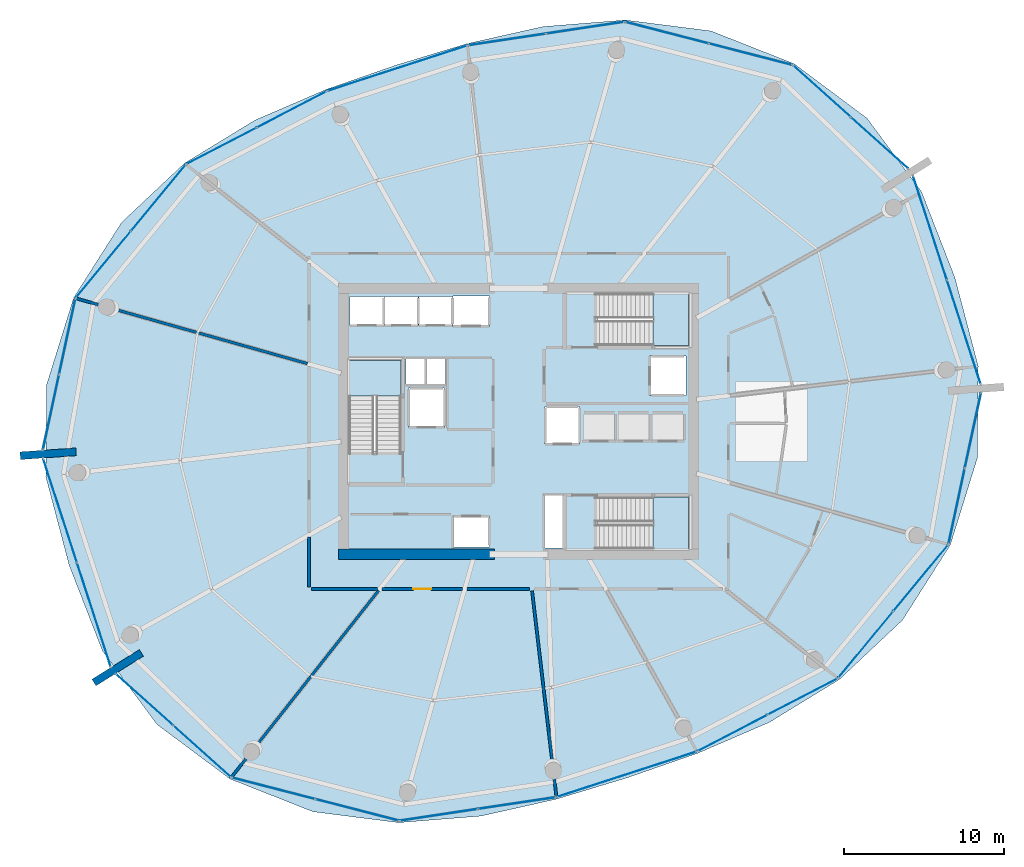
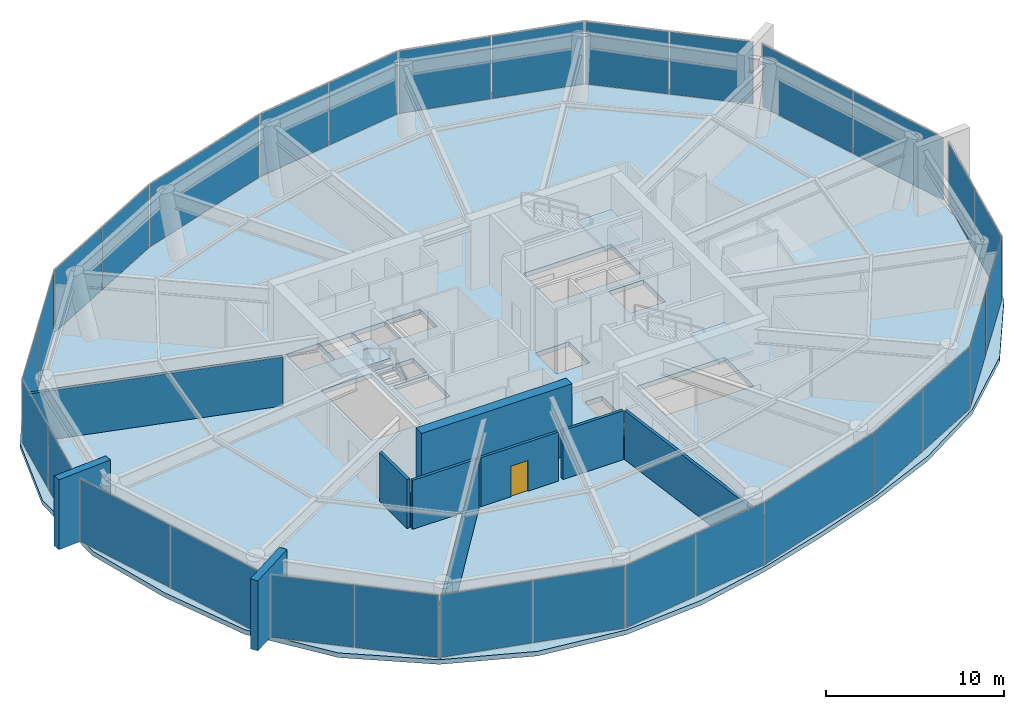
# One storey, part 16 of 22: 30 plates, 10 walls, 4 slabs, 1 door, 1 opening, 19 elements without a shape of their own.
"""IFC4 building model written with IfcOpenShell, lengths in metres."""

from ifc_helpers import new_model, si_unit, direction, frame, frame_2d, origin, origin_2d, place, context, subcontext, project, spatial, polyline, rectangle, outline, extrude, material, layer, layer_set, type_object, element, fill, aggregate, save


model = new_model("IFC4")

# Units and contexts
model_context = context("Model", 3, precision=1e-05, world=origin(), true_north=direction((0.0, 1.0)))
body_context = subcontext(model_context, "Body", "Model", "MODEL_VIEW")
ifc_project = project(units=[si_unit("LENGTHUNIT", "METRE"), si_unit("AREAUNIT", "SQUARE_METRE"), si_unit("VOLUMEUNIT", "CUBIC_METRE"), si_unit("PLANEANGLEUNIT", "RADIAN"), si_unit("MASSUNIT", "GRAM", prefix="KILO")], contexts=[model_context])

# Site, building, storey
site_placement = place(None, origin())
site = spatial("IfcSite", under=ifc_project, at=site_placement, CompositionType="ELEMENT")
building_placement = place(site_placement, origin())
building = spatial("IfcBuilding", under=site, at=building_placement, Name="Kazma Halo Residences", CompositionType="ELEMENT")
storey_placement = place(building_placement, frame((0.0, 0.0, 231.89990234375)))
storey = spatial("IfcBuildingStorey", under=building, at=storey_placement, Name="L58", CompositionType="ELEMENT", Elevation=231.89990234375)

# Curtain wall, plates
ifc_material_1 = material(Name="Aluminium AW-6063 T6 and Triple-Silver Low-E Glass", Category="aluminium")
ifc_layer_1 = layer(ifc_material_1, 0.139892578125)
ifc_layer_set_1 = layer_set([ifc_layer_1], Name="Aluminium AW-6063 T6 and Triple-Silver Low-E Glass")
curtain_wall_type = type_object("IfcCurtainWallType", Name="CW-SYS-5", PredefinedType="NOTDEFINED", material=ifc_layer_set_1)
curtain_wall_1_placement = place(storey_placement, origin())
curtain_wall_1 = element("IfcCurtainWall", 1, at=curtain_wall_1_placement, inside=storey, type_object=curtain_wall_type, Name="L58 unitised curtain wall B01", PredefinedType="NOTDEFINED")
ifc_material_2 = material(Name="Clear Triple-Silver Low-E Glass IGU", Category="glass")
ifc_layer_2 = layer(ifc_material_2, 0.02587890625)
ifc_layer_set_2 = layer_set([ifc_layer_2], Name="Clear Triple-Silver Low-E Glass IGU")
plate_type = type_object("IfcPlateType", Name="CW-SYS-5-PNL", PredefinedType="CURTAIN_PANEL", material=ifc_layer_set_2)
plate_1_placement = place(storey_placement, frame((71.003173828125, 59.42333984375, 0.06005859375), z_axis=(0.0, 0.0, 1.0), x_axis=(-0.744340381454, 0.667800416694, 0.0)))
plate_1 = element("IfcPlate", 2, at=plate_1_placement, type_object=plate_type, Name="CWS-5 panel 1.1", PredefinedType="CURTAIN_PANEL", context=body_context, shape_type="SweptSolid", body=[
    extrude(rectangle(XDim=4.781982421875, YDim=0.02587890625, at=origin_2d()), origin(), (0.0, 0.0, 1.0), 4.280029296875),
])
plate_2_placement = place(storey_placement, frame((67.399169921875, 62.65673828125, 0.06005859375), z_axis=(0.0, 0.0, 1.0), x_axis=(-0.744340381454, 0.667800416694, 0.0)))
plate_2 = element("IfcPlate", 3, at=plate_2_placement, type_object=plate_type, Name="CWS-5 panel 2.1", PredefinedType="CURTAIN_PANEL", context=body_context, shape_type="SweptSolid", body=[
    extrude(rectangle(XDim=4.781982421875, YDim=0.02587890625, at=origin_2d()), origin(), (0.0, 0.0, 1.0), 4.280029296875),
])
aggregate(curtain_wall_1, [plate_1, plate_2])

curtain_wall_2_placement = place(storey_placement, origin())
curtain_wall_2 = element("IfcCurtainWall", 4, at=curtain_wall_2_placement, inside=storey, type_object=curtain_wall_type, Name="L58 unitised curtain wall B02", PredefinedType="NOTDEFINED")
plate_3_placement = place(storey_placement, frame((62.9296875, 64.97509765625, 0.06005859375), z_axis=(0.0, 0.0, 1.0), x_axis=(-0.96835764639, 0.249566561617, 0.0)))
plate_3 = element("IfcPlate", 5, at=plate_3_placement, type_object=plate_type, Name="CWS-5 panel 1.1", PredefinedType="CURTAIN_PANEL", context=body_context, shape_type="SweptSolid", body=[
    extrude(rectangle(XDim=5.34326171875, YDim=0.02587890625, at=origin_2d()), origin(), (0.0, 0.0, 1.0), 4.280029296875),
])
plate_4_placement = place(storey_placement, frame((57.697265625, 66.32373046875, 0.06005859375), z_axis=(0.0, 0.0, 1.0), x_axis=(-0.96835764639, 0.249566561617, 0.0)))
plate_4 = element("IfcPlate", 6, at=plate_4_placement, type_object=plate_type, Name="CWS-5 panel 2.1", PredefinedType="CURTAIN_PANEL", context=body_context, shape_type="SweptSolid", body=[
    extrude(rectangle(XDim=5.34326171875, YDim=0.02587890625, at=origin_2d()), origin(), (0.0, 0.0, 1.0), 4.280029296875),
])
aggregate(curtain_wall_2, [plate_3, plate_4])

curtain_wall_3_placement = place(storey_placement, origin())
curtain_wall_3 = element("IfcCurtainWall", 7, at=curtain_wall_3_placement, inside=storey, type_object=curtain_wall_type, Name="L58 unitised curtain wall B03", PredefinedType="NOTDEFINED")
plate_5_placement = place(storey_placement, frame((52.578125, 66.63330078125, 0.06005859375), z_axis=(0.0, 0.0, 1.0), x_axis=(-0.988877358261, -0.148733218613, 0.0)))
plate_5 = element("IfcPlate", 8, at=plate_5_placement, type_object=plate_type, Name="CWS-5 panel 1.1", PredefinedType="CURTAIN_PANEL", context=body_context, shape_type="SweptSolid", body=[
    extrude(rectangle(XDim=4.8837890625, YDim=0.02587890625, at=origin_2d()), origin(), (0.0, 0.0, 1.0), 4.280029296875),
])
plate_6_placement = place(storey_placement, frame((47.689453125, 65.89794921875, 0.06005859375), z_axis=(0.0, 0.0, 1.0), x_axis=(-0.988877358261, -0.148733218613, 0.0)))
plate_6 = element("IfcPlate", 9, at=plate_6_placement, type_object=plate_type, Name="CWS-5 panel 2.1", PredefinedType="CURTAIN_PANEL", context=body_context, shape_type="SweptSolid", body=[
    extrude(rectangle(XDim=4.8837890625, YDim=0.02587890625, at=origin_2d()), origin(), (0.0, 0.0, 1.0), 4.280029296875),
])
aggregate(curtain_wall_3, [plate_5, plate_6])

# Curtain wall, plate
curtain_wall_4_placement = place(storey_placement, origin())
curtain_wall_4 = element("IfcCurtainWall", 10, at=curtain_wall_4_placement, inside=storey, type_object=curtain_wall_type, Name="L58 unitised curtain wall B04", PredefinedType="NOTDEFINED")
plate_7_placement = place(storey_placement, frame((40.820068359375, 64.09765625, 0.06005859375), z_axis=(0.0, 0.0, 1.0), x_axis=(-0.951055532228, -0.309020023006, 0.0)))
plate_7 = element("IfcPlate", 11, at=plate_7_placement, type_object=plate_type, Name="CWS-5 panel 1.1", PredefinedType="CURTAIN_PANEL", context=body_context, shape_type="SweptSolid", body=[
    extrude(rectangle(XDim=9.12353515625, YDim=0.02587890625, at=origin_2d()), origin(), (0.0, 0.0, 1.0), 4.280029296875),
])
aggregate(curtain_wall_4, [plate_7])

# Curtain wall, plates
curtain_wall_5_placement = place(storey_placement, origin())
curtain_wall_5 = element("IfcCurtainWall", 12, at=curtain_wall_5_placement, inside=storey, type_object=curtain_wall_type, Name="L58 unitised curtain wall B05", PredefinedType="NOTDEFINED")
plate_8_placement = place(storey_placement, frame((34.204345703125, 61.516357421875, 0.06005859375), z_axis=(0.0, 0.0, 1.0), x_axis=(-0.88744317663, -0.460917138163, 0.0)))
plate_8 = element("IfcPlate", 13, at=plate_8_placement, type_object=plate_type, Name="CWS-5 panel 1.1", PredefinedType="CURTAIN_PANEL", context=body_context, shape_type="SweptSolid", body=[
    extrude(rectangle(XDim=4.8837890625, YDim=0.02587890625, at=origin_2d()), origin(), (0.0, 0.0, 1.0), 4.280029296875),
])
plate_9_placement = place(storey_placement, frame((29.817138671875, 59.23779296875, 0.06005859375), z_axis=(0.0, 0.0, 1.0), x_axis=(-0.88744317663, -0.460917138163, 0.0)))
plate_9 = element("IfcPlate", 14, at=plate_9_placement, type_object=plate_type, Name="CWS-5 panel 2.1", PredefinedType="CURTAIN_PANEL", context=body_context, shape_type="SweptSolid", body=[
    extrude(rectangle(XDim=4.8837890625, YDim=0.02587890625, at=origin_2d()), origin(), (0.0, 0.0, 1.0), 4.280029296875),
])
aggregate(curtain_wall_5, [plate_8, plate_9])

curtain_wall_6_placement = place(storey_placement, origin())
curtain_wall_6 = element("IfcCurtainWall", 15, at=curtain_wall_6_placement, inside=storey, type_object=curtain_wall_type, Name="L58 unitised curtain wall B06", PredefinedType="NOTDEFINED")
plate_10_placement = place(storey_placement, frame((25.857421875, 55.978271484375, 0.06005859375), z_axis=(0.0, 0.0, 1.0), x_axis=(-0.636723757762, -0.77109198952, 0.0)))
plate_10 = element("IfcPlate", 16, at=plate_10_placement, type_object=plate_type, Name="CWS-5 panel 1.1", PredefinedType="CURTAIN_PANEL", context=body_context, shape_type="SweptSolid", body=[
    extrude(rectangle(XDim=5.34326171875, YDim=0.02587890625, at=origin_2d()), origin(), (0.0, 0.0, 1.0), 4.280029296875),
])
plate_11_placement = place(storey_placement, frame((22.417236328125, 51.81201171875, 0.06005859375), z_axis=(0.0, 0.0, 1.0), x_axis=(-0.636723757762, -0.77109198952, 0.0)))
plate_11 = element("IfcPlate", 17, at=plate_11_placement, type_object=plate_type, Name="CWS-5 panel 2.1", PredefinedType="CURTAIN_PANEL", context=body_context, shape_type="SweptSolid", body=[
    extrude(rectangle(XDim=5.34326171875, YDim=0.02587890625, at=origin_2d()), origin(), (0.0, 0.0, 1.0), 4.280029296875),
])
aggregate(curtain_wall_6, [plate_10, plate_11])

curtain_wall_7_placement = place(storey_placement, origin())
curtain_wall_7 = element("IfcCurtainWall", 18, at=curtain_wall_7_placement, inside=storey, type_object=curtain_wall_type, Name="L58 unitised curtain wall B07", PredefinedType="NOTDEFINED")
plate_12_placement = place(storey_placement, frame((20.1640625, 47.30908203125, 0.06005859375), z_axis=(0.0, 0.0, 1.0), x_axis=(-0.209667858949, -0.977772667302, 0.0)))
plate_12 = element("IfcPlate", 19, at=plate_12_placement, type_object=plate_type, Name="CWS-5 panel 1.1", PredefinedType="CURTAIN_PANEL", context=body_context, shape_type="SweptSolid", body=[
    extrude(rectangle(XDim=4.781982421875, YDim=0.02587890625, at=origin_2d()), origin(), (0.0, 0.0, 1.0), 4.280029296875),
])
plate_13_placement = place(storey_placement, frame((19.148681640625, 42.57470703125, 0.06005859375), z_axis=(0.0, 0.0, 1.0), x_axis=(-0.209667858949, -0.977772667302, 0.0)))
plate_13 = element("IfcPlate", 20, at=plate_13_placement, type_object=plate_type, Name="CWS-5 panel 2.1", PredefinedType="CURTAIN_PANEL", context=body_context, shape_type="SweptSolid", body=[
    extrude(rectangle(XDim=4.781982421875, YDim=0.02587890625, at=origin_2d()), origin(), (0.0, 0.0, 1.0), 4.280029296875),
])
aggregate(curtain_wall_7, [plate_12, plate_13])

curtain_wall_8_placement = place(storey_placement, origin())
curtain_wall_8 = element("IfcCurtainWall", 21, at=curtain_wall_8_placement, inside=storey, type_object=curtain_wall_type, Name="L58 unitised curtain wall B08", PredefinedType="NOTDEFINED")
plate_14_placement = place(storey_placement, frame((19.713134765625, 36.42041015625, 0.06005859375), z_axis=(0.0, 0.0, 1.0), x_axis=(0.309019866261, -0.951055583158, 0.0)))
plate_14 = element("IfcPlate", 22, at=plate_14_placement, type_object=plate_type, Name="CWS-5 panel 1.1", PredefinedType="CURTAIN_PANEL", context=body_context, shape_type="SweptSolid", body=[
    extrude(rectangle(XDim=6.80908203125, YDim=0.02587890625, at=origin_2d()), origin(), (0.0, 0.0, 1.0), 4.280029296875),
])
plate_15_placement = place(storey_placement, frame((21.835693359375, 29.887451171875, 0.06005859375), z_axis=(0.0, 0.0, 1.0), x_axis=(0.309019866261, -0.951055583158, 0.0)))
plate_15 = element("IfcPlate", 23, at=plate_15_placement, type_object=plate_type, Name="CWS-5 panel 2.1", PredefinedType="CURTAIN_PANEL", context=body_context, shape_type="SweptSolid", body=[
    extrude(rectangle(XDim=6.80908203125, YDim=0.02587890625, at=origin_2d()), origin(), (0.0, 0.0, 1.0), 4.280029296875),
])
aggregate(curtain_wall_8, [plate_14, plate_15])

curtain_wall_9_placement = place(storey_placement, origin())
curtain_wall_9 = element("IfcCurtainWall", 24, at=curtain_wall_9_placement, inside=storey, type_object=curtain_wall_type, Name="L58 unitised curtain wall B09", PredefinedType="NOTDEFINED")
plate_16_placement = place(storey_placement, frame((24.996826171875, 24.57666015625, 0.06005859375), z_axis=(0.0, 0.0, 1.0), x_axis=(0.744340381454, -0.667800416694, 0.0)))
plate_16 = element("IfcPlate", 25, at=plate_16_placement, type_object=plate_type, Name="CWS-5 panel 1.1", PredefinedType="CURTAIN_PANEL", context=body_context, shape_type="SweptSolid", body=[
    extrude(rectangle(XDim=4.781982421875, YDim=0.02587890625, at=origin_2d()), origin(), (0.0, 0.0, 1.0), 4.280029296875),
])
plate_17_placement = place(storey_placement, frame((28.600830078125, 21.34326171875, 0.06005859375), z_axis=(0.0, 0.0, 1.0), x_axis=(0.744340381454, -0.667800416694, 0.0)))
plate_17 = element("IfcPlate", 26, at=plate_17_placement, type_object=plate_type, Name="CWS-5 panel 2.1", PredefinedType="CURTAIN_PANEL", context=body_context, shape_type="SweptSolid", body=[
    extrude(rectangle(XDim=4.781982421875, YDim=0.02587890625, at=origin_2d()), origin(), (0.0, 0.0, 1.0), 4.280029296875),
])
aggregate(curtain_wall_9, [plate_16, plate_17])

curtain_wall_10_placement = place(storey_placement, origin())
curtain_wall_10 = element("IfcCurtainWall", 27, at=curtain_wall_10_placement, inside=storey, type_object=curtain_wall_type, Name="L58 unitised curtain wall B10", PredefinedType="NOTDEFINED")
plate_18_placement = place(storey_placement, frame((33.0703125, 19.02490234375, 0.06005859375), z_axis=(0.0, 0.0, 1.0), x_axis=(0.96835764639, -0.249566561617, 0.0)))
plate_18 = element("IfcPlate", 28, at=plate_18_placement, type_object=plate_type, Name="CWS-5 panel 1.1", PredefinedType="CURTAIN_PANEL", context=body_context, shape_type="SweptSolid", body=[
    extrude(rectangle(XDim=5.34326171875, YDim=0.02587890625, at=origin_2d()), origin(), (0.0, 0.0, 1.0), 4.280029296875),
])
plate_19_placement = place(storey_placement, frame((38.302734375, 17.67626953125, 0.06005859375), z_axis=(0.0, 0.0, 1.0), x_axis=(0.96835764639, -0.249566561617, 0.0)))
plate_19 = element("IfcPlate", 29, at=plate_19_placement, type_object=plate_type, Name="CWS-5 panel 2.1", PredefinedType="CURTAIN_PANEL", context=body_context, shape_type="SweptSolid", body=[
    extrude(rectangle(XDim=5.34326171875, YDim=0.02587890625, at=origin_2d()), origin(), (0.0, 0.0, 1.0), 4.280029296875),
])
aggregate(curtain_wall_10, [plate_18, plate_19])

curtain_wall_11_placement = place(storey_placement, origin())
curtain_wall_11 = element("IfcCurtainWall", 30, at=curtain_wall_11_placement, inside=storey, type_object=curtain_wall_type, Name="L58 unitised curtain wall B11", PredefinedType="NOTDEFINED")
plate_20_placement = place(storey_placement, frame((43.421875, 17.36669921875, 0.06005859375), z_axis=(0.0, 0.0, 1.0), x_axis=(0.988877358261, 0.148733218613, 0.0)))
plate_20 = element("IfcPlate", 31, at=plate_20_placement, type_object=plate_type, Name="CWS-5 panel 1.1", PredefinedType="CURTAIN_PANEL", context=body_context, shape_type="SweptSolid", body=[
    extrude(rectangle(XDim=4.8837890625, YDim=0.02587890625, at=origin_2d()), origin(), (0.0, 0.0, 1.0), 4.280029296875),
])
plate_21_placement = place(storey_placement, frame((48.310546875, 18.10205078125, 0.06005859375), z_axis=(0.0, 0.0, 1.0), x_axis=(0.988877358261, 0.148733218613, 0.0)))
plate_21 = element("IfcPlate", 32, at=plate_21_placement, type_object=plate_type, Name="CWS-5 panel 2.1", PredefinedType="CURTAIN_PANEL", context=body_context, shape_type="SweptSolid", body=[
    extrude(rectangle(XDim=4.8837890625, YDim=0.02587890625, at=origin_2d()), origin(), (0.0, 0.0, 1.0), 4.280029296875),
])
aggregate(curtain_wall_11, [plate_20, plate_21])

# Curtain wall, plate
curtain_wall_12_placement = place(storey_placement, origin())
curtain_wall_12 = element("IfcCurtainWall", 33, at=curtain_wall_12_placement, inside=storey, type_object=curtain_wall_type, Name="L58 unitised curtain wall B12", PredefinedType="NOTDEFINED")
plate_22_placement = place(storey_placement, frame((55.179931640625, 19.90234375, 0.06005859375), z_axis=(0.0, 0.0, 1.0), x_axis=(0.951055532228, 0.309020023006, 0.0)))
plate_22 = element("IfcPlate", 34, at=plate_22_placement, type_object=plate_type, Name="CWS-5 panel 1.1", PredefinedType="CURTAIN_PANEL", context=body_context, shape_type="SweptSolid", body=[
    extrude(rectangle(XDim=9.12353515625, YDim=0.02587890625, at=origin_2d()), origin(), (0.0, 0.0, 1.0), 4.280029296875),
])
aggregate(curtain_wall_12, [plate_22])

# Curtain wall, plates
curtain_wall_13_placement = place(storey_placement, origin())
curtain_wall_13 = element("IfcCurtainWall", 35, at=curtain_wall_13_placement, inside=storey, type_object=curtain_wall_type, Name="L58 unitised curtain wall B13", PredefinedType="NOTDEFINED")
plate_23_placement = place(storey_placement, frame((61.795654296875, 22.483642578125, 0.06005859375), z_axis=(0.0, 0.0, 1.0), x_axis=(0.88744317663, 0.460917138163, 0.0)))
plate_23 = element("IfcPlate", 36, at=plate_23_placement, type_object=plate_type, Name="CWS-5 panel 1.1", PredefinedType="CURTAIN_PANEL", context=body_context, shape_type="SweptSolid", body=[
    extrude(rectangle(XDim=4.8837890625, YDim=0.02587890625, at=origin_2d()), origin(), (0.0, 0.0, 1.0), 4.280029296875),
])
plate_24_placement = place(storey_placement, frame((66.182861328125, 24.76220703125, 0.06005859375), z_axis=(0.0, 0.0, 1.0), x_axis=(0.88744317663, 0.460917138163, 0.0)))
plate_24 = element("IfcPlate", 37, at=plate_24_placement, type_object=plate_type, Name="CWS-5 panel 2.1", PredefinedType="CURTAIN_PANEL", context=body_context, shape_type="SweptSolid", body=[
    extrude(rectangle(XDim=4.8837890625, YDim=0.02587890625, at=origin_2d()), origin(), (0.0, 0.0, 1.0), 4.280029296875),
])
aggregate(curtain_wall_13, [plate_23, plate_24])

curtain_wall_14_placement = place(storey_placement, origin())
curtain_wall_14 = element("IfcCurtainWall", 38, at=curtain_wall_14_placement, inside=storey, type_object=curtain_wall_type, Name="L58 unitised curtain wall B14", PredefinedType="NOTDEFINED")
plate_25_placement = place(storey_placement, frame((70.142578125, 28.021728515625, 0.06005859375), z_axis=(0.0, 0.0, 1.0), x_axis=(0.636723757762, 0.77109198952, 0.0)))
plate_25 = element("IfcPlate", 39, at=plate_25_placement, type_object=plate_type, Name="CWS-5 panel 1.1", PredefinedType="CURTAIN_PANEL", context=body_context, shape_type="SweptSolid", body=[
    extrude(rectangle(XDim=5.34326171875, YDim=0.02587890625, at=origin_2d()), origin(), (0.0, 0.0, 1.0), 4.280029296875),
])
plate_26_placement = place(storey_placement, frame((73.582763671875, 32.18798828125, 0.06005859375), z_axis=(0.0, 0.0, 1.0), x_axis=(0.636723757762, 0.77109198952, 0.0)))
plate_26 = element("IfcPlate", 40, at=plate_26_placement, type_object=plate_type, Name="CWS-5 panel 2.1", PredefinedType="CURTAIN_PANEL", context=body_context, shape_type="SweptSolid", body=[
    extrude(rectangle(XDim=5.34326171875, YDim=0.02587890625, at=origin_2d()), origin(), (0.0, 0.0, 1.0), 4.280029296875),
])
aggregate(curtain_wall_14, [plate_25, plate_26])

curtain_wall_15_placement = place(storey_placement, origin())
curtain_wall_15 = element("IfcCurtainWall", 41, at=curtain_wall_15_placement, inside=storey, type_object=curtain_wall_type, Name="L58 unitised curtain wall B15", PredefinedType="NOTDEFINED")
plate_27_placement = place(storey_placement, frame((75.8359375, 36.69091796875, 0.06005859375), z_axis=(0.0, 0.0, 1.0), x_axis=(0.209667858949, 0.977772667302, 0.0)))
plate_27 = element("IfcPlate", 42, at=plate_27_placement, type_object=plate_type, Name="CWS-5 panel 1.1", PredefinedType="CURTAIN_PANEL", context=body_context, shape_type="SweptSolid", body=[
    extrude(rectangle(XDim=4.781982421875, YDim=0.02587890625, at=origin_2d()), origin(), (0.0, 0.0, 1.0), 4.280029296875),
])
plate_28_placement = place(storey_placement, frame((76.851318359375, 41.42529296875, 0.06005859375), z_axis=(0.0, 0.0, 1.0), x_axis=(0.209667858949, 0.977772667302, 0.0)))
plate_28 = element("IfcPlate", 43, at=plate_28_placement, type_object=plate_type, Name="CWS-5 panel 2.1", PredefinedType="CURTAIN_PANEL", context=body_context, shape_type="SweptSolid", body=[
    extrude(rectangle(XDim=4.781982421875, YDim=0.02587890625, at=origin_2d()), origin(), (0.0, 0.0, 1.0), 4.280029296875),
])
aggregate(curtain_wall_15, [plate_27, plate_28])

curtain_wall_16_placement = place(storey_placement, origin())
curtain_wall_16 = element("IfcCurtainWall", 44, at=curtain_wall_16_placement, inside=storey, type_object=curtain_wall_type, Name="L58 unitised curtain wall B16", PredefinedType="NOTDEFINED")
plate_29_placement = place(storey_placement, frame((76.286865234375, 47.57958984375, 0.06005859375), z_axis=(0.0, 0.0, 1.0), x_axis=(-0.309019866261, 0.951055583158, 0.0)))
plate_29 = element("IfcPlate", 45, at=plate_29_placement, type_object=plate_type, Name="CWS-5 panel 1.1", PredefinedType="CURTAIN_PANEL", context=body_context, shape_type="SweptSolid", body=[
    extrude(rectangle(XDim=6.80908203125, YDim=0.02587890625, at=origin_2d()), origin(), (0.0, 0.0, 1.0), 4.280029296875),
])
plate_30_placement = place(storey_placement, frame((74.164306640625, 54.112548828125, 0.06005859375), z_axis=(0.0, 0.0, 1.0), x_axis=(-0.309019866261, 0.951055583158, 0.0)))
plate_30 = element("IfcPlate", 46, at=plate_30_placement, type_object=plate_type, Name="CWS-5 panel 2.1", PredefinedType="CURTAIN_PANEL", context=body_context, shape_type="SweptSolid", body=[
    extrude(rectangle(XDim=6.80908203125, YDim=0.02587890625, at=origin_2d()), origin(), (0.0, 0.0, 1.0), 4.280029296875),
])
aggregate(curtain_wall_16, [plate_29, plate_30])

# Slab
ifc_material_3 = material(Name="Concrete C50/60", Category="concrete")
ifc_layer_3 = layer(ifc_material_3, 0.320068359375)
ifc_layer_set_3 = layer_set([ifc_layer_3], Name="Concrete C50/60")
slab_type_1 = type_object("IfcSlabType", Name="SLB-POD-320", PredefinedType="FLOOR", material=ifc_layer_set_3)
slab_1_placement = place(storey_placement, frame((0.0, 0.0, -0.31982421875)))
element("IfcSlab", 47, at=slab_1_placement, inside=storey, type_object=slab_type_1, Name="L58 structural floor slab", PredefinedType="FLOOR", context=body_context, shape_type="SweptSolid", body=[
    extrude(outline(polyline([(75.72021484375, 51.0068359375), (73.640869140625, 56.359619140625), (70.219482421875, 60.977294921875), (65.64892578125, 64.3876953125), (60.451416015625, 66.43701171875), (55.084716796875, 67.120849609375), (49.944580078125, 66.709716796875), (45.201416015625, 65.64501953125), (40.75390625, 64.301025390625), (36.365966796875, 62.774169921875), (31.902587890625, 60.847412109375), (27.502685546875, 58.15869140625), (23.56298828125, 54.451416015625), (20.5625, 49.73828125), (18.869384765625, 44.29248046875), (18.815673828125, 38.5458984375), (20.27978515625, 32.9931640625), (22.359130859375, 27.640380859375), (25.780517578125, 23.022705078125), (30.35107421875, 19.6123046875), (35.548583984375, 17.56298828125), (40.915283203125, 16.879150390625), (46.055419921875, 17.290283203125), (50.798583984375, 18.35498046875), (55.24609375, 19.698974609375), (59.634033203125, 21.225830078125), (64.097412109375, 23.152587890625), (68.497314453125, 25.84130859375), (72.43701171875, 29.548583984375), (75.4375, 34.26171875), (77.130615234375, 39.70751953125), (77.184326171875, 45.4541015625), (75.72021484375, 51.0068359375)]), holes=[polyline([(37.800048828125, 40.110107421875), (41.050048828125, 40.110107421875), (41.050048828125, 45.800048828125), (37.800048828125, 45.800048828125), (37.800048828125, 40.110107421875)]), polyline([(53.360107421875, 46.75), (59.050048828125, 46.75), (59.050048828125, 50.0), (53.360107421875, 50.0), (53.360107421875, 46.75)]), polyline([(53.360107421875, 34.0), (59.050048828125, 34.0), (59.050048828125, 37.25), (53.360107421875, 37.25), (53.360107421875, 34.0)]), polyline([(41.52001953125, 41.6201171875), (43.780029296875, 41.6201171875), (43.780029296875, 44.080078125), (41.52001953125, 44.080078125), (41.52001953125, 41.6201171875)]), polyline([(56.6201171875, 43.6201171875), (58.8798828125, 43.6201171875), (58.8798828125, 46.080078125), (56.6201171875, 46.080078125), (56.6201171875, 43.6201171875)]), polyline([(37.864990234375, 47.9951171875), (39.97509765625, 47.9951171875), (39.97509765625, 49.804931640625), (37.864990234375, 49.804931640625), (37.864990234375, 47.9951171875)]), polyline([(40.014892578125, 47.9951171875), (42.125, 47.9951171875), (42.125, 49.804931640625), (40.014892578125, 49.804931640625), (40.014892578125, 47.9951171875)]), polyline([(42.1650390625, 47.9951171875), (44.27490234375, 47.9951171875), (44.27490234375, 49.804931640625), (42.1650390625, 49.804931640625), (42.1650390625, 47.9951171875)]), polyline([(44.320068359375, 47.945068359375), (46.580078125, 47.945068359375), (46.580078125, 49.85498046875), (44.320068359375, 49.85498046875), (44.320068359375, 47.945068359375)]), polyline([(44.320068359375, 34.14501953125), (46.580078125, 34.14501953125), (46.580078125, 36.054931640625), (44.320068359375, 36.054931640625), (44.320068359375, 34.14501953125)]), polyline([(50.070068359375, 40.570068359375), (52.22998046875, 40.570068359375), (52.22998046875, 42.929931640625), (50.070068359375, 42.929931640625), (50.070068359375, 40.570068359375)]), polyline([(41.360107421875, 44.340087890625), (42.5400390625, 44.340087890625), (42.5400390625, 45.89990234375), (41.360107421875, 45.89990234375), (41.360107421875, 44.340087890625)]), polyline([(42.659912109375, 44.340087890625), (43.840087890625, 44.340087890625), (43.840087890625, 45.89990234375), (42.659912109375, 45.89990234375), (42.659912109375, 44.340087890625)]), polyline([(50.06005859375, 34.080078125), (51.159912109375, 34.080078125), (51.159912109375, 37.3798828125), (50.06005859375, 37.3798828125), (50.06005859375, 34.080078125)])]), origin(), (0.0, 0.0, 1.0), 0.31982421875),
])

# Stair, slab
stair_type = type_object("IfcStairType", Name="STR-POD", PredefinedType="HALF_TURN_STAIR", material=ifc_material_3)
stair_1_placement = place(storey_placement, origin())
stair_1 = element("IfcStair", 48, at=stair_1_placement, inside=storey, type_object=stair_type, Name="L58 Core exit stair ST-01", PredefinedType="HALF_TURN_STAIR")
ifc_layer_4 = layer(ifc_material_3, 0.199951171875)
ifc_layer_set_4 = layer_set([ifc_layer_4], Name="Concrete C50/60")
slab_type_2 = type_object("IfcSlabType", Name="SLB-STAIR-LND-200", PredefinedType="LANDING", material=ifc_layer_set_4)
slab_2_placement = place(storey_placement, frame((0.0, 0.0, 2.2001953125)))
slab_2 = element("IfcSlab", 49, at=slab_2_placement, type_object=slab_type_2, Name="ST-01 landing 1", PredefinedType="LANDING", context=body_context, shape_type="SweptSolid", body=[
    extrude(outline(polyline([(41.050048828125, 43.590087890625), (41.050048828125, 45.800048828125), (37.800048828125, 45.800048828125), (37.800048828125, 43.590087890625), (41.050048828125, 43.590087890625)])), origin(), (0.0, 0.0, 1.0), 0.199951171875),
])
aggregate(stair_1, [slab_2])

stair_2_placement = place(storey_placement, origin())
stair_2 = element("IfcStair", 50, at=stair_2_placement, inside=storey, type_object=stair_type, Name="L58 Core exit stair ST-02", PredefinedType="HALF_TURN_STAIR")
slab_3_placement = place(storey_placement, frame((0.0, 0.0, 2.2001953125)))
slab_3 = element("IfcSlab", 51, at=slab_3_placement, type_object=slab_type_2, Name="ST-02 landing 1", PredefinedType="LANDING", context=body_context, shape_type="SweptSolid", body=[
    extrude(outline(polyline([(56.840087890625, 46.75), (59.050048828125, 46.75), (59.050048828125, 50.0), (56.840087890625, 50.0), (56.840087890625, 46.75)])), origin(), (0.0, 0.0, 1.0), 0.199951171875),
])
aggregate(stair_2, [slab_3])

stair_3_placement = place(storey_placement, origin())
stair_3 = element("IfcStair", 52, at=stair_3_placement, inside=storey, type_object=stair_type, Name="L58 Core exit stair ST-03", PredefinedType="HALF_TURN_STAIR")
slab_4_placement = place(storey_placement, frame((0.0, 0.0, 2.2001953125)))
slab_4 = element("IfcSlab", 53, at=slab_4_placement, type_object=slab_type_2, Name="ST-03 landing 1", PredefinedType="LANDING", context=body_context, shape_type="SweptSolid", body=[
    extrude(outline(polyline([(56.840087890625, 34.0), (59.050048828125, 34.0), (59.050048828125, 37.25), (56.840087890625, 37.25), (56.840087890625, 34.0)])), origin(), (0.0, 0.0, 1.0), 0.199951171875),
])
aggregate(stair_3, [slab_4])

# Walls
ifc_material_4 = material(Name="Pale Concrete C60/75", Category="concrete")
ifc_layer_5 = layer(ifc_material_4, 0.47998046875)
ifc_layer_set_5 = layer_set([ifc_layer_5], Name="Pale Concrete C60/75")
wall_type_1 = type_object("IfcWallType", Name="WL-BLADE-480", PredefinedType="SOLIDWALL", material=ifc_layer_set_5)
wall_1_placement = place(storey_placement, frame((20.71240234375, 40.091796875, 0.0), z_axis=(0.0, 0.0, 1.0), x_axis=(-0.997563824095, -0.069759707979, 0.0)))
element("IfcWall", 54, at=wall_1_placement, inside=storey, type_object=wall_type_1, Name="L58 pale concrete structural blade fin wall BW-02", PredefinedType="SOLIDWALL", context=body_context, shape_type="SweptSolid", body=[
    extrude(rectangle(XDim=3.499755859375, YDim=0.47998046875, at=frame_2d((1.75, 0.0))), origin(), (0.0, 0.0, 1.0), 4.800048828125),
])
wall_2_placement = place(storey_placement, frame((24.802490234375, 27.50439453125, 0.0), z_axis=(0.0, 0.0, 1.0), x_axis=(-0.848084507158, -0.529860989996, 0.0)))
element("IfcWall", 55, at=wall_2_placement, inside=storey, type_object=wall_type_1, Name="L58 pale concrete structural blade fin wall BW-03", PredefinedType="SOLIDWALL", context=body_context, shape_type="SweptSolid", body=[
    extrude(rectangle(XDim=3.5, YDim=0.47998046875, at=frame_2d((1.75, 0.0))), origin(), (0.0, 0.0, 1.0), 4.800048828125),
])
ifc_material_5 = material(Name="Concrete C60/75", Category="concrete")
ifc_layer_6 = layer(ifc_material_5, 0.64990234375)
ifc_layer_set_6 = layer_set([ifc_layer_6], Name="Concrete C60/75")
wall_type_2 = type_object("IfcWallType", Name="WL-CORE-650", PredefinedType="SHEAR", material=ifc_layer_set_6)
wall_3_placement = place(storey_placement, frame((37.14990234375, 33.675048828125, 0.0), z_axis=(0.0, 0.0, 1.0), x_axis=(1.0, 0.0, 0.0)))
element("IfcWall", 56, at=wall_3_placement, inside=storey, type_object=wall_type_2, Name="L58 central core shear wall SW", PredefinedType="SHEAR", context=body_context, shape_type="SweptSolid", body=[
    extrude(rectangle(XDim=9.75, YDim=0.64990234375, at=frame_2d((4.875, 0.0))), origin(), (0.0, 0.0, 1.0), 4.800048828125),
])
ifc_material_6 = material(Name="Acoustic Twin-Stud Gypsum")
ifc_layer_7 = layer(ifc_material_6, 0.179931640625)
ifc_layer_set_7 = layer_set([ifc_layer_7], Name="Acoustic Twin-Stud Gypsum")
wall_type_3 = type_object("IfcWallType", Name="WL-DEM-180", PredefinedType="PARTITIONING", material=ifc_layer_set_7)
wall_4_placement = place(storey_placement, frame((35.194091796875, 45.61181640625, 0.0), z_axis=(0.0, 0.0, 1.0), x_axis=(-0.962460537185, 0.271421654186, 0.0)))
element("IfcWall", 57, at=wall_4_placement, inside=storey, type_object=wall_type_3, Name="L58 radial partition wall 06", PredefinedType="PARTITIONING", context=body_context, shape_type="SweptSolid", body=[
    extrude(rectangle(XDim=15.057373046875, YDim=0.179931640625, at=frame_2d((7.52880859375, 0.0))), origin(), (0.0, 0.0, 1.0), 3.357177734375),
])
wall_5_placement = place(storey_placement, frame((35.300048828125, 34.747802734375, 0.0), z_axis=(0.0, 0.0, 1.0), x_axis=(0.0, -1.0, 0.0)))
element("IfcWall", 58, at=wall_5_placement, inside=storey, type_object=wall_type_3, Name="L58 Panorama Reading Library corridor wall", PredefinedType="PARTITIONING", context=body_context, shape_type="SweptSolid", body=[
    extrude(rectangle(XDim=3.10791015625, YDim=0.179931640625, at=frame_2d((1.553955078125, 0.0))), origin(), (0.0, 0.0, 1.0), 3.357177734375),
])
wall_6_placement = place(storey_placement, frame((35.43994140625, 31.5, 0.0), z_axis=(0.0, 0.0, 1.0), x_axis=(1.0, 0.0, 0.0)))
element("IfcWall", 59, at=wall_6_placement, inside=storey, type_object=wall_type_3, Name="L58 Panorama Reading Library corridor wall", PredefinedType="PARTITIONING", context=body_context, shape_type="SweptSolid", body=[
    extrude(rectangle(XDim=4.142578125, YDim=0.179931640625, at=frame_2d((2.0712890625, 0.0))), origin(), (0.0, 0.0, 1.0), 3.357177734375),
])
wall_7_placement = place(storey_placement, frame((39.654296875, 31.41357421875, 0.0), z_axis=(0.0, 0.0, 1.0), x_axis=(-0.619091503037, -0.78531885936, 0.0)))
element("IfcWall", 60, at=wall_7_placement, inside=storey, type_object=wall_type_3, Name="L58 radial partition wall 09", PredefinedType="PARTITIONING", context=body_context, shape_type="SweptSolid", body=[
    extrude(rectangle(XDim=14.882568359375, YDim=0.179931640625, at=frame_2d((7.44140625, 0.0))), origin(), (0.0, 0.0, 1.0), 3.357177734375),
])

# Wall, opening, door
wall_8_placement = place(storey_placement, frame((39.862548828125, 31.5, 0.0), z_axis=(0.0, 0.0, 1.0), x_axis=(1.0, 0.0, 0.0)))
wall_8 = element("IfcWall", 61, at=wall_8_placement, inside=storey, type_object=wall_type_3, Name="L58 Sky Boardroom Office corridor wall", PredefinedType="PARTITIONING", context=body_context, shape_type="SweptSolid", body=[
    extrude(rectangle(XDim=5.0361328125, YDim=0.179931640625, at=frame_2d((2.51806640625, 0.0))), origin(), (0.0, 0.0, 1.0), 3.357177734375),
])
opening_placement = place(wall_8_placement, frame((1.968017578125, 0.0, 0.0)))
opening = element("IfcOpeningElement", 62, at=opening_placement, cuts=wall_8, Name="Opening DA-1100", PredefinedType="OPENING", context=body_context, shape_type="SweptSolid", body=[
    extrude(rectangle(XDim=1.10009765625, YDim=2.10009765625, at=frame_2d((0.550048828125, 1.050048828125))), frame((0.0, 0.099853515625, 0.0), z_axis=(0.0, -1.0, 0.0), x_axis=(1.0, 0.0, 0.0)), (0.0, 0.0, 1.0), 0.199951171875),
])
ifc_material_7 = material(Name="Acoustic Walnut Fire Leaf")
door_type = type_object("IfcDoorType", Name="DR-FD60-1100", OperationType="NOTDEFINED", PredefinedType="DOOR", material=ifc_material_7)
door_placement = place(opening_placement, origin())
door = element("IfcDoor", 63, at=door_placement, inside=storey, type_object=door_type, Name="L58 Sky Boardroom Office entrance door", OperationType="SINGLE_SWING_RIGHT", OverallHeight=2.10009765625, OverallWidth=1.10009765625, PredefinedType="DOOR", context=body_context, shape_type="SweptSolid", body=[
    extrude(rectangle(XDim=1.10009765625, YDim=2.10009765625, at=frame_2d((0.550048828125, 1.050048828125))), frame((0.0, 0.02490234375, 0.0), z_axis=(0.0, -1.0, 0.0), x_axis=(1.0, 0.0, 0.0)), (0.0, 0.0, 1.0), 0.050048828125),
])
fill(opening, door)

# Walls
wall_9_placement = place(storey_placement, frame((45.1787109375, 31.5, 0.0), z_axis=(0.0, 0.0, 1.0), x_axis=(1.0, 0.0, 0.0)))
element("IfcWall", 64, at=wall_9_placement, inside=storey, type_object=wall_type_3, Name="L58 Sky Boardroom Office corridor wall", PredefinedType="PARTITIONING", context=body_context, shape_type="SweptSolid", body=[
    extrude(rectangle(XDim=3.924072265625, YDim=0.179931640625, at=frame_2d((1.9619140625, 0.0))), origin(), (0.0, 0.0, 1.0), 3.357177734375),
])
wall_10_placement = place(storey_placement, frame((49.255615234375, 31.390869140625, 0.0), z_axis=(0.0, 0.0, 1.0), x_axis=(0.117537360962, -0.993068461274, 0.0)))
element("IfcWall", 65, at=wall_10_placement, inside=storey, type_object=wall_type_3, Name="L58 radial partition wall 11", PredefinedType="PARTITIONING", context=body_context, shape_type="SweptSolid", body=[
    extrude(rectangle(XDim=12.982177734375, YDim=0.179931640625, at=frame_2d((6.4912109375, 0.0))), origin(), (0.0, 0.0, 1.0), 3.357177734375),
])

save(model, "model.ifc")
